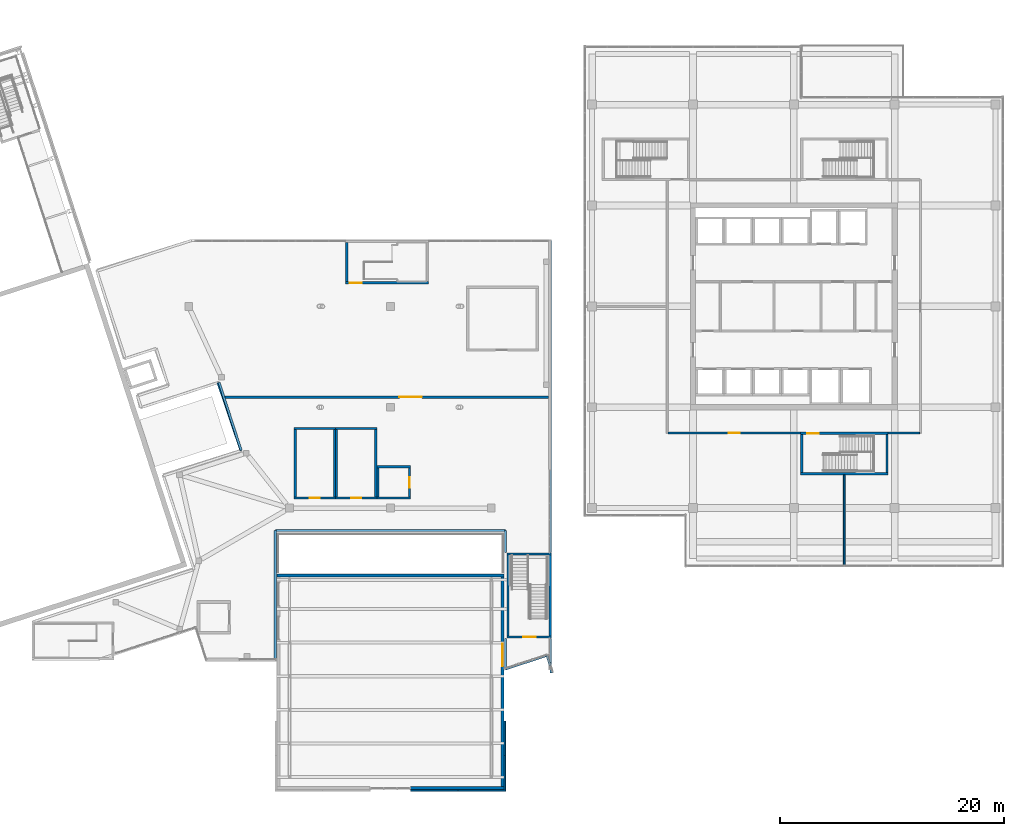
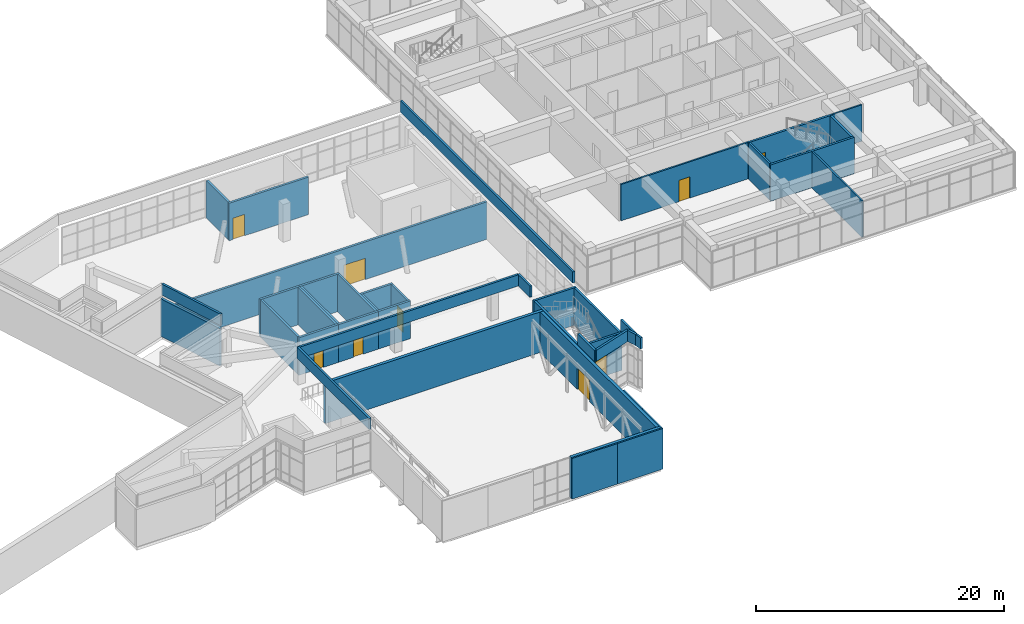
# One storey, part 63 of 72: 44 walls, 9 doors, 9 openings.
"""IFC4 building model written with IfcOpenShell, lengths in metres."""

from ifc_helpers import new_model, si_unit, direction, frame, frame_2d, origin, place, context, subcontext, project, spatial, rectangle, extrude, material, layer, layer_set, type_object, element, fill, save


model = new_model("IFC4")

# Units and contexts
model_context = context("Model", 3, precision=1e-05, world=origin(), true_north=direction((0.0, 1.0)))
body_context = subcontext(model_context, "Body", "Model", "MODEL_VIEW")
ifc_project = project(units=[si_unit("LENGTHUNIT", "METRE"), si_unit("AREAUNIT", "SQUARE_METRE"), si_unit("VOLUMEUNIT", "CUBIC_METRE"), si_unit("PLANEANGLEUNIT", "RADIAN"), si_unit("MASSUNIT", "GRAM", prefix="KILO")], contexts=[model_context])

# Site, building, storey
site_placement = place(None, origin())
site = spatial("IfcSite", under=ifc_project, at=site_placement, CompositionType="ELEMENT")
building_placement = place(site_placement, origin())
building = spatial("IfcBuilding", under=site, at=building_placement, Name="Tuart Plaza Theatre", CompositionType="ELEMENT")
storey_placement = place(building_placement, frame((0.0, 0.0, 13.5)))
storey = spatial("IfcBuildingStorey", under=building, at=storey_placement, Name="L03", CompositionType="ELEMENT", Elevation=13.5)

# Walls
ifc_material_1 = material(Name="Concrete N40 (40 MPa)", Category="concrete")
ifc_layer_1 = layer(ifc_material_1, 0.199951171875)
ifc_layer_set_1 = layer_set([ifc_layer_1], Name="PARAPET RC200 EXT")
wall_type_1 = type_object("IfcWallType", Name="PARAPET RC200 EXT", PredefinedType="PARAPET", material=ifc_layer_set_1)
wall_1_placement = place(storey_placement, frame((110.26318359375, 41.92431640625, 4.0), z_axis=(0.0, 0.0, 1.0), x_axis=(-0.309034774937, 0.951050738857, 0.0)))
element("IfcWall", 1, at=wall_1_placement, inside=storey, type_object=wall_type_1, Name="P52", PredefinedType="PARAPET", context=body_context, shape_type="SweptSolid", body=[
    extrude(rectangle(XDim=0.968505859375, YDim=0.199951171875, at=frame_2d((0.484375, 0.0))), origin(), (0.0, 0.0, 1.0), 1.10009765625),
])
wall_2_placement = place(storey_placement, frame((109.9638671875, 42.845458984375, 4.0), z_axis=(0.0, 0.0, 1.0), x_axis=(-0.95105716295, -0.309015004168, 0.0)))
element("IfcWall", 2, at=wall_2_placement, inside=storey, type_object=wall_type_1, Name="P53", PredefinedType="PARAPET", context=body_context, shape_type="SweptSolid", body=[
    extrude(rectangle(XDim=3.884033203125, YDim=0.199951171875, at=frame_2d((1.94189453125, 0.0))), origin(), (0.0, 0.0, 1.0), 1.10009765625),
])
wall_3_placement = place(storey_placement, frame((106.27001953125, 41.645263671875, 4.0), z_axis=(0.0, 0.0, 1.0), x_axis=(0.0, 1.0, 0.0)))
element("IfcWall", 3, at=wall_3_placement, inside=storey, type_object=wall_type_1, Name="P54", PredefinedType="PARAPET", context=body_context, shape_type="SweptSolid", body=[
    extrude(rectangle(XDim=2.704833984375, YDim=0.199951171875, at=frame_2d((1.3525390625, 0.0))), origin(), (0.0, 0.0, 1.0), 1.10009765625),
])
wall_4_placement = place(storey_placement, frame((106.27001953125, 52.050048828125, 4.0), z_axis=(0.0, 0.0, 1.0), x_axis=(0.0, 1.0, 0.0)))
element("IfcWall", 4, at=wall_4_placement, inside=storey, type_object=wall_type_1, Name="P55", PredefinedType="PARAPET", context=body_context, shape_type="SweptSolid", body=[
    extrude(rectangle(XDim=1.949951171875, YDim=0.199951171875, at=frame_2d((0.97509765625, 0.0))), origin(), (0.0, 0.0, 1.0), 1.10009765625),
])
wall_5_placement = place(storey_placement, frame((106.27001953125, 54.0, 4.0), z_axis=(0.0, 0.0, 1.0), x_axis=(-1.0, 0.0, 0.0)))
element("IfcWall", 5, at=wall_5_placement, inside=storey, type_object=wall_type_1, Name="P56", PredefinedType="PARAPET", context=body_context, shape_type="SweptSolid", body=[
    extrude(rectangle(XDim=20.5400390625, YDim=0.199951171875, at=frame_2d((10.27001953125, 0.0))), origin(), (0.0, 0.0, 1.0), 1.10009765625),
])
wall_6_placement = place(storey_placement, frame((85.72998046875, 54.0, 4.0), z_axis=(0.0, 0.0, 1.0), x_axis=(0.0, -1.0, 0.0)))
element("IfcWall", 6, at=wall_6_placement, inside=storey, type_object=wall_type_1, Name="P57", PredefinedType="PARAPET", context=body_context, shape_type="SweptSolid", body=[
    extrude(rectangle(XDim=11.572021484375, YDim=0.199951171875, at=frame_2d((5.7861328125, 0.0))), origin(), (0.0, 0.0, 1.0), 1.10009765625),
])
wall_7_placement = place(storey_placement, frame((82.68603515625, 61.13720703125, 4.0), z_axis=(0.0, 0.0, 1.0), x_axis=(-0.309031729642, 0.951051728391, 0.0)))
element("IfcWall", 7, at=wall_7_placement, inside=storey, type_object=wall_type_1, Name="P66", PredefinedType="PARAPET", context=body_context, shape_type="SweptSolid", body=[
    extrude(rectangle(XDim=6.39990234375, YDim=0.199951171875, at=frame_2d((3.199951171875, 0.0))), origin(), (0.0, 0.0, 1.0), 1.10009765625),
])
wall_8_placement = place(storey_placement, frame((110.262939453125, 79.886962890625, 4.0), z_axis=(0.0, 0.0, 1.0), x_axis=(8.770391e-06, -0.999999999962, 0.0)))
element("IfcWall", 8, at=wall_8_placement, inside=storey, type_object=wall_type_1, Name="P75", PredefinedType="PARAPET", context=body_context, shape_type="SweptSolid", body=[
    extrude(rectangle(XDim=27.8369140625, YDim=0.199951171875, at=frame_2d((13.91845703125, 0.0))), origin(), (0.0, 0.0, 1.0), 1.10009765625),
])
wall_9_placement = place(storey_placement, frame((110.26318359375, 44.35009765625, 4.0), z_axis=(0.0, 0.0, 1.0), x_axis=(0.0, -1.0, 0.0)))
element("IfcWall", 9, at=wall_9_placement, inside=storey, type_object=wall_type_1, Name="P76", PredefinedType="PARAPET", context=body_context, shape_type="SweptSolid", body=[
    extrude(rectangle(XDim=2.42578125, YDim=0.199951171875, at=frame_2d((1.212890625, 0.0))), origin(), (0.0, 0.0, 1.0), 1.10009765625),
])
wall_10_placement = place(storey_placement, frame((110.266357421875, 41.904541015625, 4.0), z_axis=(0.0, 0.0, 1.0), x_axis=(0.156529459574, -0.987673290256, 0.0)))
element("IfcWall", 10, at=wall_10_placement, inside=storey, type_object=wall_type_1, Name="P767", PredefinedType="PARAPET", context=body_context, shape_type="SweptSolid", body=[
    extrude(rectangle(XDim=0.619140625, YDim=0.199951171875, at=frame_2d((0.3095703125, 0.0))), origin(), (0.0, 0.0, 1.0), 1.10009765625),
])

# Wall, opening, door
ifc_material_2 = material(Name="Masonry block", Category="masonry")
ifc_layer_2 = layer(ifc_material_2, 0.14990234375)
ifc_layer_set_2 = layer_set([ifc_layer_2], Name="PARTITION BLK150 MASONRYB FRL 120/-/-")
wall_type_2 = type_object("IfcWallType", Name="PARTITION BLK150 MASONRYB FRL 120/-/-", PredefinedType="PARTITIONING", material=ifc_layer_set_2)
wall_11_placement = place(storey_placement, frame((132.60009765625, 62.699951171875, 0.0), z_axis=(0.0, 0.0, 1.0), x_axis=(-1.0, 0.0, 0.0)))
wall_11 = element("IfcWall", 11, at=wall_11_placement, inside=storey, type_object=wall_type_2, Name="P600", PredefinedType="PARTITIONING", context=body_context, shape_type="SweptSolid", body=[
    extrude(rectangle(XDim=11.8251953125, YDim=0.14990234375, at=frame_2d((5.91259765625, 0.0))), origin(), (0.0, 0.0, 1.0), 3.580078125),
])
opening_1_placement = place(wall_11_placement, frame((5.427490234375, 0.0, 0.0)))
opening_1 = element("IfcOpeningElement", 12, at=opening_1_placement, cuts=wall_11, Name="Opening L03-051", PredefinedType="OPENING", context=body_context, shape_type="SweptSolid", body=[
    extrude(rectangle(XDim=1.0, YDim=2.10009765625, at=frame_2d((0.5, 1.050048828125))), frame((0.0, 0.0849609375, 0.0), z_axis=(0.0, -1.0, 0.0), x_axis=(1.0, 0.0, 0.0)), (0.0, 0.0, 1.0), 0.169921875),
])
ifc_material_3 = material(Name="Timber", Category="wood")
door_type_1 = type_object("IfcDoorType", Name="DOOR 1000x2100 timber single swing FRL -/60/30", OperationType="SINGLE_SWING_LEFT", PredefinedType="DOOR", material=ifc_material_3)
door_1_placement = place(opening_1_placement, origin())
door_1 = element("IfcDoor", 13, at=door_1_placement, inside=storey, type_object=door_type_1, Name="L03-051", OperationType="SINGLE_SWING_LEFT", OverallHeight=2.10009765625, OverallWidth=1.0, PredefinedType="DOOR", context=body_context, shape_type="SweptSolid", body=[
    extrude(rectangle(XDim=1.0, YDim=2.10009765625, at=frame_2d((0.5, 1.050048828125))), frame((0.0, 0.02490234375, 0.0), z_axis=(0.0, -1.0, 0.0), x_axis=(1.0, 0.0, 0.0)), (0.0, 0.0, 1.0), 0.050048828125),
])
fill(opening_1, door_1)

# Walls
wall_12_placement = place(storey_placement, frame((143.22509765625, 62.699951171875, 0.0), z_axis=(0.0, 0.0, 1.0), x_axis=(-1.0, 0.0, 0.0)))
element("IfcWall", 14, at=wall_12_placement, inside=storey, type_object=wall_type_2, Name="P601", PredefinedType="PARTITIONING", context=body_context, shape_type="SweptSolid", body=[
    extrude(rectangle(XDim=2.8251953125, YDim=0.14990234375, at=frame_2d((1.41259765625, 0.0))), origin(), (0.0, 0.0, 1.0), 3.580078125),
])
wall_13_placement = place(storey_placement, frame((136.5, 50.89990234375, 0.0), z_axis=(0.0, 0.0, 1.0), x_axis=(0.0, 1.0, 0.0)))
element("IfcWall", 15, at=wall_13_placement, inside=storey, type_object=wall_type_2, Name="P605", PredefinedType="PARTITIONING", context=body_context, shape_type="SweptSolid", body=[
    extrude(rectangle(XDim=8.0751953125, YDim=0.14990234375, at=frame_2d((4.03759765625, 0.0))), origin(), (0.0, 0.0, 1.0), 3.580078125),
])

# Wall, opening, door
ifc_material_4 = material(Name="Masonry", Category="masonry")
ifc_layer_3 = layer(ifc_material_4, 0.199951171875)
ifc_layer_set_3 = layer_set([ifc_layer_3], Name="PARTITION BLK200 FRL 120/-/-")
wall_type_3 = type_object("IfcWallType", Name="PARTITION BLK200 FRL 120/-/-", PredefinedType="PARTITIONING", material=ifc_layer_set_3)
wall_14_placement = place(storey_placement, frame((87.39990234375, 56.89990234375, 0.0), z_axis=(0.0, 0.0, 1.0), x_axis=(1.0, 0.0, 0.0)))
wall_14 = element("IfcWall", 16, at=wall_14_placement, inside=storey, type_object=wall_type_3, Name="P345", PredefinedType="PARTITIONING", context=body_context, shape_type="SweptSolid", body=[
    extrude(rectangle(XDim=3.7001953125, YDim=0.199951171875, at=frame_2d((1.85009765625, 0.0))), origin(), (0.0, 0.0, 1.0), 3.699951171875),
])
opening_2_placement = place(wall_14_placement, frame((1.39990234375, 0.0, 0.0)))
opening_2 = element("IfcOpeningElement", 17, at=opening_2_placement, cuts=wall_14, Name="Opening L03-019", PredefinedType="OPENING", context=body_context, shape_type="SweptSolid", body=[
    extrude(rectangle(XDim=0.89990234375, YDim=2.10009765625, at=frame_2d((0.449951171875, 1.050048828125))), frame((0.0, 0.10986328125, 0.0), z_axis=(0.0, -1.0, 0.0), x_axis=(1.0, 0.0, 0.0)), (0.0, 0.0, 1.0), 0.219970703125),
])
ifc_material_5 = material(Name="Timber", Category="wood")
door_type_2 = type_object("IfcDoorType", Name="DOOR 900x2100 timber single swing FRL -/60/30", OperationType="SINGLE_SWING_LEFT", PredefinedType="DOOR", material=ifc_material_5)
door_2_placement = place(opening_2_placement, origin())
door_2 = element("IfcDoor", 18, at=door_2_placement, inside=storey, type_object=door_type_2, Name="L03-019", OperationType="SINGLE_SWING_LEFT", OverallHeight=2.10009765625, OverallWidth=0.89990234375, PredefinedType="DOOR", context=body_context, shape_type="SweptSolid", body=[
    extrude(rectangle(XDim=0.89990234375, YDim=2.10009765625, at=frame_2d((0.449951171875, 1.050048828125))), frame((0.0, 0.02490234375, 0.0), z_axis=(0.0, -1.0, 0.0), x_axis=(1.0, 0.0, 0.0)), (0.0, 0.0, 1.0), 0.050048828125),
])
fill(opening_2, door_2)

# Walls
wall_15_placement = place(storey_placement, frame((91.0, 57.0, 0.0), z_axis=(0.0, 0.0, 1.0), x_axis=(0.0, 1.0, 0.0)))
element("IfcWall", 19, at=wall_15_placement, inside=storey, type_object=wall_type_3, Name="P346", PredefinedType="PARTITIONING", context=body_context, shape_type="SweptSolid", body=[
    extrude(rectangle(XDim=6.0, YDim=0.199951171875, at=frame_2d((3.0, 0.0))), origin(), (0.0, 0.0, 1.0), 3.699951171875),
])
wall_16_placement = place(storey_placement, frame((91.10009765625, 63.10009765625, 0.0), z_axis=(0.0, 0.0, 1.0), x_axis=(-1.0, 0.0, 0.0)))
element("IfcWall", 20, at=wall_16_placement, inside=storey, type_object=wall_type_3, Name="P347", PredefinedType="PARTITIONING", context=body_context, shape_type="SweptSolid", body=[
    extrude(rectangle(XDim=3.7001953125, YDim=0.199951171875, at=frame_2d((1.85009765625, 0.0))), origin(), (0.0, 0.0, 1.0), 3.699951171875),
])
wall_17_placement = place(storey_placement, frame((87.5, 63.0, 0.0), z_axis=(0.0, 0.0, 1.0), x_axis=(0.0, -1.0, 0.0)))
element("IfcWall", 21, at=wall_17_placement, inside=storey, type_object=wall_type_3, Name="P348", PredefinedType="PARTITIONING", context=body_context, shape_type="SweptSolid", body=[
    extrude(rectangle(XDim=6.0, YDim=0.199951171875, at=frame_2d((3.0, 0.0))), origin(), (0.0, 0.0, 1.0), 3.699951171875),
])

# Wall, opening, door
wall_18_placement = place(storey_placement, frame((91.10009765625, 56.89990234375, 0.0), z_axis=(0.0, 0.0, 1.0), x_axis=(1.0, 0.0, 0.0)))
wall_18 = element("IfcWall", 22, at=wall_18_placement, inside=storey, type_object=wall_type_3, Name="P349", PredefinedType="PARTITIONING", context=body_context, shape_type="SweptSolid", body=[
    extrude(rectangle(XDim=3.699951171875, YDim=0.199951171875, at=frame_2d((1.85009765625, 0.0))), origin(), (0.0, 0.0, 1.0), 3.699951171875),
])
opening_3_placement = place(wall_18_placement, frame((1.39990234375, 0.0, 0.0)))
opening_3 = element("IfcOpeningElement", 23, at=opening_3_placement, cuts=wall_18, Name="Opening L03-020", PredefinedType="OPENING", context=body_context, shape_type="SweptSolid", body=[
    extrude(rectangle(XDim=0.89990234375, YDim=2.10009765625, at=frame_2d((0.449951171875, 1.050048828125))), frame((0.0, 0.10986328125, 0.0), z_axis=(0.0, -1.0, 0.0), x_axis=(1.0, 0.0, 0.0)), (0.0, 0.0, 1.0), 0.219970703125),
])
door_3_placement = place(opening_3_placement, origin())
door_3 = element("IfcDoor", 24, at=door_3_placement, inside=storey, type_object=door_type_2, Name="L03-020", OperationType="SINGLE_SWING_RIGHT", OverallHeight=2.10009765625, OverallWidth=0.89990234375, PredefinedType="DOOR", context=body_context, shape_type="SweptSolid", body=[
    extrude(rectangle(XDim=0.89990234375, YDim=2.10009765625, at=frame_2d((0.449951171875, 1.050048828125))), frame((0.0, 0.02490234375, 0.0), z_axis=(0.0, -1.0, 0.0), x_axis=(1.0, 0.0, 0.0)), (0.0, 0.0, 1.0), 0.050048828125),
])
fill(opening_3, door_3)

# Walls
wall_19_placement = place(storey_placement, frame((94.699951171875, 57.0, 0.0), z_axis=(0.0, 0.0, 1.0), x_axis=(0.0, 1.0, 0.0)))
element("IfcWall", 25, at=wall_19_placement, inside=storey, type_object=wall_type_3, Name="P350", PredefinedType="PARTITIONING", context=body_context, shape_type="SweptSolid", body=[
    extrude(rectangle(XDim=6.0, YDim=0.199951171875, at=frame_2d((3.0, 0.0))), origin(), (0.0, 0.0, 1.0), 3.699951171875),
])
wall_20_placement = place(storey_placement, frame((94.800048828125, 63.10009765625, 0.0), z_axis=(0.0, 0.0, 1.0), x_axis=(-1.0, 0.0, 0.0)))
element("IfcWall", 26, at=wall_20_placement, inside=storey, type_object=wall_type_3, Name="P351", PredefinedType="PARTITIONING", context=body_context, shape_type="SweptSolid", body=[
    extrude(rectangle(XDim=3.699951171875, YDim=0.199951171875, at=frame_2d((1.85009765625, 0.0))), origin(), (0.0, 0.0, 1.0), 3.699951171875),
])
wall_21_placement = place(storey_placement, frame((91.199951171875, 63.0, 0.0), z_axis=(0.0, 0.0, 1.0), x_axis=(0.0, -1.0, 0.0)))
element("IfcWall", 27, at=wall_21_placement, inside=storey, type_object=wall_type_3, Name="P352", PredefinedType="PARTITIONING", context=body_context, shape_type="SweptSolid", body=[
    extrude(rectangle(XDim=6.0, YDim=0.199951171875, at=frame_2d((3.0, 0.0))), origin(), (0.0, 0.0, 1.0), 3.699951171875),
])
wall_22_placement = place(storey_placement, frame((94.800048828125, 56.89990234375, 0.0), z_axis=(0.0, 0.0, 1.0), x_axis=(1.0, 0.0, 0.0)))
element("IfcWall", 28, at=wall_22_placement, inside=storey, type_object=wall_type_3, Name="P353", PredefinedType="PARTITIONING", context=body_context, shape_type="SweptSolid", body=[
    extrude(rectangle(XDim=3.0, YDim=0.199951171875, at=frame_2d((1.5, 0.0))), origin(), (0.0, 0.0, 1.0), 3.699951171875),
])

# Wall, opening, door
wall_23_placement = place(storey_placement, frame((97.699951171875, 57.0, 0.0), z_axis=(0.0, 0.0, 1.0), x_axis=(0.0, 1.0, 0.0)))
wall_23 = element("IfcWall", 29, at=wall_23_placement, inside=storey, type_object=wall_type_3, Name="P354", PredefinedType="PARTITIONING", context=body_context, shape_type="SweptSolid", body=[
    extrude(rectangle(XDim=2.60009765625, YDim=0.199951171875, at=frame_2d((1.300048828125, 0.0))), origin(), (0.0, 0.0, 1.0), 3.699951171875),
])
opening_4_placement = place(wall_23_placement, frame((0.824951171875, 0.0, 0.0)))
opening_4 = element("IfcOpeningElement", 30, at=opening_4_placement, cuts=wall_23, Name="Opening L03-021", PredefinedType="OPENING", context=body_context, shape_type="SweptSolid", body=[
    extrude(rectangle(XDim=0.949951171875, YDim=2.10009765625, at=frame_2d((0.47509765625, 1.050048828125))), frame((0.0, 0.10986328125, 0.0), z_axis=(0.0, -1.0, 0.0), x_axis=(1.0, 0.0, 0.0)), (0.0, 0.0, 1.0), 0.219970703125),
])
ifc_material_6 = material(Name="Timber", Category="wood")
door_type_3 = type_object("IfcDoorType", Name="DOOR 950x2100 timber single swing FRL -/60/30", OperationType="SINGLE_SWING_LEFT", PredefinedType="DOOR", material=ifc_material_6)
door_4_placement = place(opening_4_placement, origin())
door_4 = element("IfcDoor", 31, at=door_4_placement, inside=storey, type_object=door_type_3, Name="L03-021", OperationType="SINGLE_SWING_LEFT", OverallHeight=2.10009765625, OverallWidth=0.949951171875, PredefinedType="DOOR", context=body_context, shape_type="SweptSolid", body=[
    extrude(rectangle(XDim=0.949951171875, YDim=2.10009765625, at=frame_2d((0.47509765625, 1.050048828125))), frame((0.0, 0.02490234375, 0.0), z_axis=(0.0, -1.0, 0.0), x_axis=(1.0, 0.0, 0.0)), (0.0, 0.0, 1.0), 0.050048828125),
])
fill(opening_4, door_4)

# Walls
wall_24_placement = place(storey_placement, frame((97.800048828125, 59.699951171875, 0.0), z_axis=(0.0, 0.0, 1.0), x_axis=(-1.0, 0.0, 0.0)))
element("IfcWall", 32, at=wall_24_placement, inside=storey, type_object=wall_type_3, Name="P355", PredefinedType="PARTITIONING", context=body_context, shape_type="SweptSolid", body=[
    extrude(rectangle(XDim=3.0, YDim=0.199951171875, at=frame_2d((1.5, 0.0))), origin(), (0.0, 0.0, 1.0), 3.699951171875),
])
wall_25_placement = place(storey_placement, frame((94.89990234375, 59.60009765625, 0.0), z_axis=(0.0, 0.0, 1.0), x_axis=(0.0, -1.0, 0.0)))
element("IfcWall", 33, at=wall_25_placement, inside=storey, type_object=wall_type_3, Name="P356", PredefinedType="PARTITIONING", context=body_context, shape_type="SweptSolid", body=[
    extrude(rectangle(XDim=2.60009765625, YDim=0.199951171875, at=frame_2d((1.300048828125, 0.0))), origin(), (0.0, 0.0, 1.0), 3.699951171875),
])

# Wall, opening, door
wall_26_placement = place(storey_placement, frame((81.165283203125, 65.89990234375, 0.0), z_axis=(0.0, 0.0, 1.0), x_axis=(1.0, 0.0, 0.0)))
wall_26 = element("IfcWall", 34, at=wall_26_placement, inside=storey, type_object=wall_type_3, Name="P361", PredefinedType="PARTITIONING", context=body_context, shape_type="SweptSolid", body=[
    extrude(rectangle(XDim=28.94775390625, YDim=0.199951171875, at=frame_2d((14.473876953125, 0.0))), origin(), (0.0, 0.0, 1.0), 3.699951171875),
])
opening_5_placement = place(wall_26_placement, frame((15.634521484375, 0.0, 0.0)))
opening_5 = element("IfcOpeningElement", 35, at=opening_5_placement, cuts=wall_26, Name="Opening L03-023", PredefinedType="OPENING", context=body_context, shape_type="SweptSolid", body=[
    extrude(rectangle(XDim=2.0, YDim=2.10009765625, at=frame_2d((1.0, 1.050048828125))), frame((0.0, 0.10986328125, 0.0), z_axis=(0.0, -1.0, 0.0), x_axis=(1.0, 0.0, 0.0)), (0.0, 0.0, 1.0), 0.219970703125),
])
ifc_material_7 = material(Name="Timber", Category="wood")
door_type_4 = type_object("IfcDoorType", Name="DOOR 2000x2100 timber double swing FRL -/60/30", OperationType="DOUBLE_DOOR_SINGLE_SWING", PredefinedType="DOOR", material=ifc_material_7)
door_5_placement = place(opening_5_placement, frame((2.0, 0.0, 0.0), z_axis=(0.0, 0.0, 1.0), x_axis=(-1.0, 0.0, 0.0)))
door_5 = element("IfcDoor", 36, at=door_5_placement, inside=storey, type_object=door_type_4, Name="L03-023", OperationType="DOUBLE_DOOR_SINGLE_SWING", OverallHeight=2.10009765625, OverallWidth=2.0, PredefinedType="DOOR", context=body_context, shape_type="SweptSolid", body=[
    extrude(rectangle(XDim=2.0, YDim=2.10009765625, at=frame_2d((1.0, 1.050048828125))), frame((0.0, 0.02490234375, 0.0), z_axis=(0.0, -1.0, 0.0), x_axis=(1.0, 0.0, 0.0)), (0.0, 0.0, 1.0), 0.050048828125),
])
fill(opening_5, door_5)

ifc_material_8 = material(Name="Concrete N40 (40 MPa)", Category="concrete")
ifc_layer_4 = layer(ifc_material_8, 0.199951171875)
ifc_layer_set_4 = layer_set([ifc_layer_4], Name="SHEAR WALL RC200 FRL 120/120/120")
wall_type_4 = type_object("IfcWallType", Name="SHEAR WALL RC200 FRL 120/120/120", PredefinedType="SHEAR", material=ifc_layer_set_4)
wall_27_placement = place(storey_placement, frame((92.0, 76.10009765625, 0.0), z_axis=(0.0, 0.0, 1.0), x_axis=(1.0, 0.0, 0.0)))
wall_27 = element("IfcWall", 37, at=wall_27_placement, inside=storey, type_object=wall_type_4, Name="W254", PredefinedType="SHEAR", context=body_context, shape_type="SweptSolid", body=[
    extrude(rectangle(XDim=7.39990234375, YDim=0.199951171875, at=frame_2d((3.699951171875, 0.0))), origin(), (0.0, 0.0, 1.0), 3.699951171875),
])
opening_6_placement = place(wall_27_placement, frame((0.35009765625, 0.0, 0.0)))
opening_6 = element("IfcOpeningElement", 38, at=opening_6_placement, cuts=wall_27, Name="Opening L03-025", PredefinedType="OPENING", context=body_context, shape_type="SweptSolid", body=[
    extrude(rectangle(XDim=1.10009765625, YDim=2.10009765625, at=frame_2d((0.550048828125, 1.050048828125))), frame((0.0, 0.10986328125, 0.0), z_axis=(0.0, -1.0, 0.0), x_axis=(1.0, 0.0, 0.0)), (0.0, 0.0, 1.0), 0.219970703125),
])
ifc_material_9 = material(Name="Steel Grade 300", Category="steel")
door_type_5 = type_object("IfcDoorType", Name="DOOR 1100x2100 steel single swing FRL -/120/30", OperationType="SINGLE_SWING_LEFT", PredefinedType="DOOR", material=ifc_material_9)
door_6_placement = place(opening_6_placement, origin())
door_6 = element("IfcDoor", 39, at=door_6_placement, inside=storey, type_object=door_type_5, Name="L03-025", OperationType="SINGLE_SWING_RIGHT", OverallHeight=2.10009765625, OverallWidth=1.10009765625, PredefinedType="DOOR", context=body_context, shape_type="SweptSolid", body=[
    extrude(rectangle(XDim=1.10009765625, YDim=2.10009765625, at=frame_2d((0.550048828125, 1.050048828125))), frame((0.0, 0.02490234375, 0.0), z_axis=(0.0, -1.0, 0.0), x_axis=(1.0, 0.0, 0.0)), (0.0, 0.0, 1.0), 0.050048828125),
])
fill(opening_6, door_6)

# Wall
wall_28_placement = place(storey_placement, frame((92.10009765625, 79.699951171875, 0.0), z_axis=(0.0, 0.0, 1.0), x_axis=(0.0, -1.0, 0.0)))
element("IfcWall", 40, at=wall_28_placement, inside=storey, type_object=wall_type_4, Name="W256", PredefinedType="SHEAR", context=body_context, shape_type="SweptSolid", body=[
    extrude(rectangle(XDim=3.5, YDim=0.199951171875, at=frame_2d((1.75, 0.0))), origin(), (0.0, 0.0, 1.0), 3.699951171875),
])

# Wall, opening, door
wall_29_placement = place(storey_placement, frame((106.39990234375, 44.5, 0.0), z_axis=(0.0, 0.0, 1.0), x_axis=(1.0, 0.0, 0.0)))
wall_29 = element("IfcWall", 41, at=wall_29_placement, inside=storey, type_object=wall_type_4, Name="W247", PredefinedType="SHEAR", context=body_context, shape_type="SweptSolid", body=[
    extrude(rectangle(XDim=3.960205078125, YDim=0.199951171875, at=frame_2d((1.97998046875, 0.0))), origin(), (0.0, 0.0, 1.0), 3.699951171875),
])
opening_7_placement = place(wall_29_placement, frame((1.449951171875, 0.0, 0.0)))
opening_7 = element("IfcOpeningElement", 42, at=opening_7_placement, cuts=wall_29, Name="Opening L03-026", PredefinedType="OPENING", context=body_context, shape_type="SweptSolid", body=[
    extrude(rectangle(XDim=1.10009765625, YDim=2.10009765625, at=frame_2d((0.550048828125, 1.050048828125))), frame((0.0, 0.10986328125, 0.0), z_axis=(0.0, -1.0, 0.0), x_axis=(1.0, 0.0, 0.0)), (0.0, 0.0, 1.0), 0.219970703125),
])
door_7_placement = place(opening_7_placement, origin())
door_7 = element("IfcDoor", 43, at=door_7_placement, inside=storey, type_object=door_type_5, Name="L03-026", OperationType="SINGLE_SWING_LEFT", OverallHeight=2.10009765625, OverallWidth=1.10009765625, PredefinedType="DOOR", context=body_context, shape_type="SweptSolid", body=[
    extrude(rectangle(XDim=1.10009765625, YDim=2.10009765625, at=frame_2d((0.550048828125, 1.050048828125))), frame((0.0, 0.02490234375, 0.0), z_axis=(0.0, -1.0, 0.0), x_axis=(1.0, 0.0, 0.0)), (0.0, 0.0, 1.0), 0.050048828125),
])
fill(opening_7, door_7)

# Walls
wall_30_placement = place(storey_placement, frame((110.360107421875, 51.89990234375, 0.0), z_axis=(0.0, 0.0, 1.0), x_axis=(-1.0, 0.0, 0.0)))
element("IfcWall", 44, at=wall_30_placement, inside=storey, type_object=wall_type_4, Name="W248", PredefinedType="SHEAR", context=body_context, shape_type="SweptSolid", body=[
    extrude(rectangle(XDim=3.960205078125, YDim=0.199951171875, at=frame_2d((1.97998046875, 0.0))), origin(), (0.0, 0.0, 1.0), 3.699951171875),
])
wall_31_placement = place(storey_placement, frame((106.5, 51.800048828125, 0.0), z_axis=(0.0, 0.0, 1.0), x_axis=(0.0, -1.0, 0.0)))
element("IfcWall", 45, at=wall_31_placement, inside=storey, type_object=wall_type_4, Name="W249", PredefinedType="SHEAR", context=body_context, shape_type="SweptSolid", body=[
    extrude(rectangle(XDim=7.199951171875, YDim=0.199951171875, at=frame_2d((3.60009765625, 0.0))), origin(), (0.0, 0.0, 1.0), 3.699951171875),
])
wall_32_placement = place(storey_placement, frame((132.60009765625, 59.074951171875, 0.0), z_axis=(0.0, 0.0, 1.0), x_axis=(1.0, 0.0, 0.0)))
element("IfcWall", 46, at=wall_32_placement, inside=storey, type_object=wall_type_4, Name="P396", PredefinedType="SHEAR", context=body_context, shape_type="SweptSolid", body=[
    extrude(rectangle(XDim=7.7998046875, YDim=0.199951171875, at=frame_2d((3.89990234375, 0.0))), origin(), (0.0, 0.0, 1.0), 3.580078125),
])
wall_33_placement = place(storey_placement, frame((140.300048828125, 59.175048828125, 0.0), z_axis=(0.0, 0.0, 1.0), x_axis=(0.0, 1.0, 0.0)))
element("IfcWall", 47, at=wall_33_placement, inside=storey, type_object=wall_type_4, Name="P397", PredefinedType="SHEAR", context=body_context, shape_type="SweptSolid", body=[
    extrude(rectangle(XDim=3.39990234375, YDim=0.199951171875, at=frame_2d((1.699951171875, 0.0))), origin(), (0.0, 0.0, 1.0), 3.580078125),
])

# Wall, opening, door
wall_34_placement = place(storey_placement, frame((140.39990234375, 62.675048828125, 0.0), z_axis=(0.0, 0.0, 1.0), x_axis=(-1.0, 0.0, 0.0)))
wall_34 = element("IfcWall", 48, at=wall_34_placement, inside=storey, type_object=wall_type_4, Name="P398", PredefinedType="SHEAR", context=body_context, shape_type="SweptSolid", body=[
    extrude(rectangle(XDim=7.7998046875, YDim=0.199951171875, at=frame_2d((3.89990234375, 0.0))), origin(), (0.0, 0.0, 1.0), 3.580078125),
])
opening_8_placement = place(wall_34_placement, frame((6.199951171875, 0.0, 0.0)))
opening_8 = element("IfcOpeningElement", 49, at=opening_8_placement, cuts=wall_34, Name="Opening L03-038", PredefinedType="OPENING", context=body_context, shape_type="SweptSolid", body=[
    extrude(rectangle(XDim=1.0, YDim=2.10009765625, at=frame_2d((0.5, 1.050048828125))), frame((0.0, 0.10986328125, 0.0), z_axis=(0.0, -1.0, 0.0), x_axis=(1.0, 0.0, 0.0)), (0.0, 0.0, 1.0), 0.219970703125),
])
ifc_material_10 = material(Name="Steel Grade 300", Category="steel")
door_type_6 = type_object("IfcDoorType", Name="DOOR 1000x2100 steel single swing FRL -/120/30", OperationType="SINGLE_SWING_LEFT", PredefinedType="DOOR", material=ifc_material_10)
door_8_placement = place(opening_8_placement, origin())
door_8 = element("IfcDoor", 50, at=door_8_placement, inside=storey, type_object=door_type_6, Name="L03-038", OperationType="SINGLE_SWING_LEFT", OverallHeight=2.10009765625, OverallWidth=1.0, PredefinedType="DOOR", context=body_context, shape_type="SweptSolid", body=[
    extrude(rectangle(XDim=1.0, YDim=2.10009765625, at=frame_2d((0.5, 1.050048828125))), frame((0.0, 0.02490234375, 0.0), z_axis=(0.0, -1.0, 0.0), x_axis=(1.0, 0.0, 0.0)), (0.0, 0.0, 1.0), 0.050048828125),
])
fill(opening_8, door_8)

# Walls
wall_35_placement = place(storey_placement, frame((132.699951171875, 62.574951171875, 0.0), z_axis=(0.0, 0.0, 1.0), x_axis=(0.0, -1.0, 0.0)))
element("IfcWall", 51, at=wall_35_placement, inside=storey, type_object=wall_type_4, Name="P399", PredefinedType="SHEAR", context=body_context, shape_type="SweptSolid", body=[
    extrude(rectangle(XDim=3.39990234375, YDim=0.199951171875, at=frame_2d((1.699951171875, 0.0))), origin(), (0.0, 0.0, 1.0), 3.580078125),
])
ifc_material_11 = material(Name="Concrete N40 (40 MPa)", Category="concrete")
ifc_layer_5 = layer(ifc_material_11, 0.199951171875)
ifc_layer_set_5 = layer_set([ifc_layer_5], Name="SHEAR WALL RC200 FRL 120/120/120 EXT")
wall_type_5 = type_object("IfcWallType", Name="SHEAR WALL RC200 FRL 120/120/120 EXT", PredefinedType="SHEAR", material=ifc_layer_set_5)
wall_36_placement = place(storey_placement, frame((110.260009765625, 44.60009765625, 0.0), z_axis=(0.0, 0.0, 1.0), x_axis=(0.0, 1.0, 0.0)))
element("IfcWall", 52, at=wall_36_placement, inside=storey, type_object=wall_type_5, Name="W258", PredefinedType="SHEAR", context=body_context, shape_type="SweptSolid", body=[
    extrude(rectangle(XDim=7.199951171875, YDim=0.199951171875, at=frame_2d((3.60009765625, 0.0))), origin(), (0.0, 0.0, 1.0), 3.699951171875),
])
ifc_material_12 = material(Name="Concrete N40 (40 MPa)", Category="concrete")
ifc_layer_6 = layer(ifc_material_12, 0.219970703125)
ifc_layer_set_6 = layer_set([ifc_layer_6], Name="WALL RC220 FRL 120/120/120")
wall_type_6 = type_object("IfcWallType", Name="WALL RC220 FRL 120/120/120", PredefinedType="SOLIDWALL", material=ifc_layer_set_6)
wall_37_placement = place(storey_placement, frame((82.649169921875, 61.156005859375, 0.0), z_axis=(0.0, 0.0, 1.0), x_axis=(-0.319548146605, 0.947570040684, 0.0)))
element("IfcWall", 53, at=wall_37_placement, inside=storey, type_object=wall_type_6, Name="P42", PredefinedType="SOLIDWALL", context=body_context, shape_type="SweptSolid", body=[
    extrude(rectangle(XDim=6.37109375, YDim=0.219970703125, at=frame_2d((3.185546875, 0.0))), origin(), (0.0, 0.0, 1.0), 3.699951171875),
])
ifc_material_13 = material(Name="Concrete N40 (40 MPa)", Category="concrete")
ifc_layer_7 = layer(ifc_material_13, 0.280029296875)
ifc_layer_set_7 = layer_set([ifc_layer_7], Name="WALL RC280 FRL 120/120/120")
wall_type_7 = type_object("IfcWallType", Name="WALL RC280 FRL 120/120/120", PredefinedType="SOLIDWALL", material=ifc_layer_set_7)
wall_38_placement = place(storey_placement, frame((97.800048828125, 31.0, 0.0), z_axis=(0.0, 0.0, 1.0), x_axis=(1.0, 0.0, 0.0)))
element("IfcWall", 54, at=wall_38_placement, inside=storey, type_object=wall_type_7, Name="P1", PredefinedType="SOLIDWALL", context=body_context, shape_type="SweptSolid", body=[
    extrude(rectangle(XDim=8.33984375, YDim=0.280029296875, at=frame_2d((4.169921875, 0.0))), origin(), (0.0, 0.0, 1.0), 4.0),
])

# Wall, opening, door
wall_39_placement = place(storey_placement, frame((106.0, 31.139892578125, 0.0), z_axis=(0.0, 0.0, 1.0), x_axis=(0.0, 1.0, 0.0)))
wall_39 = element("IfcWall", 55, at=wall_39_placement, inside=storey, type_object=wall_type_7, Name="P2", PredefinedType="SOLIDWALL", context=body_context, shape_type="SweptSolid", body=[
    extrude(rectangle(XDim=18.72021484375, YDim=0.280029296875, at=frame_2d((9.360107421875, 0.0))), origin(), (0.0, 0.0, 1.0), 4.0),
])
opening_9_placement = place(wall_39_placement, frame((10.739990234375, 0.0, 0.0)))
opening_9 = element("IfcOpeningElement", 56, at=opening_9_placement, cuts=wall_39, Name="Opening L03-029", PredefinedType="OPENING", context=body_context, shape_type="SweptSolid", body=[
    extrude(rectangle(XDim=2.0, YDim=2.10009765625, at=frame_2d((1.0, 1.050048828125))), frame((0.0, 0.14990234375, 0.0), z_axis=(0.0, -1.0, 0.0), x_axis=(1.0, 0.0, 0.0)), (0.0, 0.0, 1.0), 0.300048828125),
])
ifc_material_14 = material(Name="Steel Grade 300", Category="steel")
door_type_7 = type_object("IfcDoorType", Name="DOOR 2000x2100 steel double swing FRL -/120/30", OperationType="DOUBLE_DOOR_SINGLE_SWING", PredefinedType="DOOR", material=ifc_material_14)
door_9_placement = place(opening_9_placement, frame((2.0, 0.0, 0.0), z_axis=(0.0, 0.0, 1.0), x_axis=(-1.0, 0.0, 0.0)))
door_9 = element("IfcDoor", 57, at=door_9_placement, inside=storey, type_object=door_type_7, Name="L03-029", OperationType="DOUBLE_DOOR_SINGLE_SWING", OverallHeight=2.10009765625, OverallWidth=2.0, PredefinedType="DOOR", context=body_context, shape_type="SweptSolid", body=[
    extrude(rectangle(XDim=2.0, YDim=2.10009765625, at=frame_2d((1.0, 1.050048828125))), frame((0.0, 0.02490234375, 0.0), z_axis=(0.0, -1.0, 0.0), x_axis=(1.0, 0.0, 0.0)), (0.0, 0.0, 1.0), 0.050048828125),
])
fill(opening_9, door_9)

# Walls
wall_40_placement = place(storey_placement, frame((106.139892578125, 50.0, 0.0), z_axis=(0.0, 0.0, 1.0), x_axis=(-1.0, 0.0, 0.0)))
element("IfcWall", 58, at=wall_40_placement, inside=storey, type_object=wall_type_7, Name="P3", PredefinedType="SOLIDWALL", context=body_context, shape_type="SweptSolid", body=[
    extrude(rectangle(XDim=20.27978515625, YDim=0.280029296875, at=frame_2d((10.139892578125, 0.0))), origin(), (0.0, 0.0, 1.0), 4.0),
])
ifc_material_15 = material(Name="Zinc")
ifc_layer_8 = layer(ifc_material_15, 0.139892578125)
ifc_layer_set_8 = layer_set([ifc_layer_8], Name="WALL ZIN140 ZINC EXT")
wall_type_8 = type_object("IfcWallType", Name="WALL ZIN140 ZINC EXT", PredefinedType="SOLIDWALL", material=ifc_layer_set_8)
for number, where, z_axis, x_axis, name in (
    (59, (97.800048828125, 30.7900390625, 0.0), (0.0, 0.0, 1.0), (1.0, 0.0, 0.0), "P79"),
    (60, (102.0400390625, 30.7900390625, 0.0), (0.0, 0.0, 1.0), (1.0, 0.0, 0.0), "P80"),
):
    element("IfcWall", number, at=place(storey_placement, frame(where, z_axis=z_axis, x_axis=x_axis)), inside=storey, type_object=wall_type_8, Name=name, PredefinedType="SOLIDWALL", context=body_context, shape_type="SweptSolid", body=[
        extrude(rectangle(XDim=4.239990234375, YDim=0.139892578125, at=frame_2d((2.1201171875, 0.0))), origin(), (0.0, 0.0, 1.0), 4.0),
    ])
wall_41_placement = place(storey_placement, frame((106.2099609375, 30.860107421875, 0.0), z_axis=(0.0, 0.0, 1.0), x_axis=(0.0, 1.0, 0.0)))
element("IfcWall", 61, at=wall_41_placement, inside=storey, type_object=wall_type_8, Name="P83", PredefinedType="SOLIDWALL", context=body_context, shape_type="SweptSolid", body=[
    extrude(rectangle(XDim=3.06982421875, YDim=0.139892578125, at=frame_2d((1.534912109375, 0.0))), origin(), (0.0, 0.0, 1.0), 4.0),
])
wall_42_placement = place(storey_placement, frame((106.2099609375, 33.929931640625, 0.0), z_axis=(0.0, 0.0, 1.0), x_axis=(0.0, 1.0, 0.0)))
element("IfcWall", 62, at=wall_42_placement, inside=storey, type_object=wall_type_8, Name="P84", PredefinedType="SOLIDWALL", context=body_context, shape_type="SweptSolid", body=[
    extrude(rectangle(XDim=3.070068359375, YDim=0.139892578125, at=frame_2d((1.53515625, 0.0))), origin(), (0.0, 0.0, 1.0), 4.0),
])

save(model, "model.ifc")
